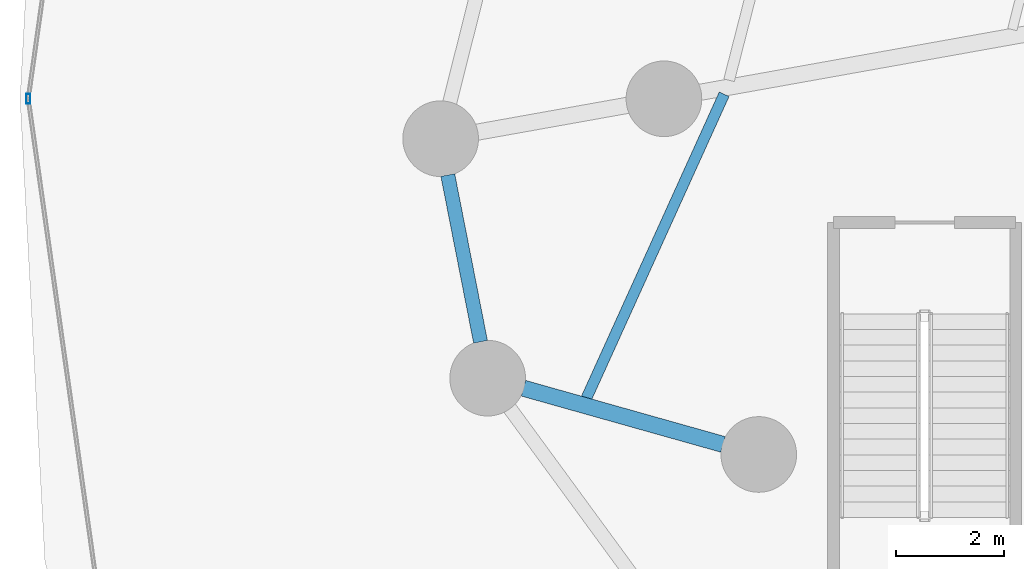
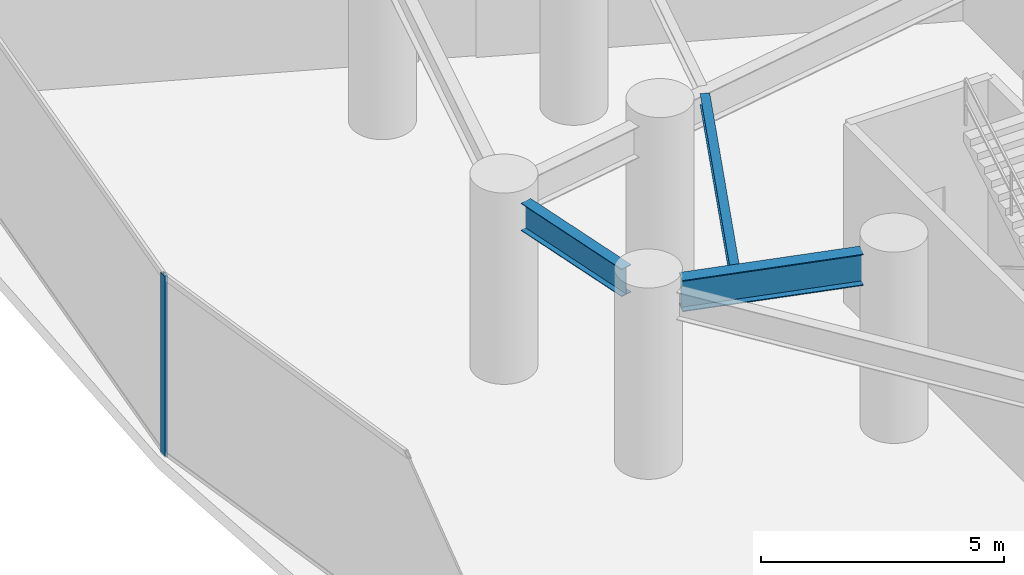
# One storey, part 6 of 26: 3 beams, 1 member, 1 element without a shape of its own.
"""IFC4 building model written with IfcOpenShell, lengths in metres."""

from ifc_helpers import new_model, si_unit, direction, frame, origin, origin_2d, place, context, subcontext, project, spatial, hollow_rectangle, i_section, extrude, material, material_profile, profile_set, type_object, element, aggregate, save


model = new_model("IFC4")

# Units and contexts
model_context = context("Model", 3, precision=1e-05, world=origin(), true_north=direction((0.0, 1.0)))
body_context = subcontext(model_context, "Body", "Model", "MODEL_VIEW")
ifc_project = project(units=[si_unit("LENGTHUNIT", "METRE"), si_unit("AREAUNIT", "SQUARE_METRE"), si_unit("VOLUMEUNIT", "CUBIC_METRE"), si_unit("PLANEANGLEUNIT", "RADIAN"), si_unit("MASSUNIT", "GRAM", prefix="KILO")], contexts=[model_context])

# Site, building, storey
site_placement = place(None, origin())
site = spatial("IfcSite", under=ifc_project, at=site_placement, CompositionType="ELEMENT")
building_placement = place(site_placement, origin())
building = spatial("IfcBuilding", under=site, at=building_placement, Name="Vorneva Point Tower", CompositionType="ELEMENT")
storey_placement = place(building_placement, frame((0.0, 0.0, 14.39990234375)))
storey = spatial("IfcBuildingStorey", under=building, at=storey_placement, Name="L03", CompositionType="ELEMENT", Elevation=14.39990234375)

# Beams
ifc_material_1 = material(Name="Steel S355", Category="steel")
ifc_material_profile_1 = material_profile(ifc_material_1, i_section(OverallWidth=0.300048828125, OverallDepth=0.7880859375, WebThickness=0.014404296875, FlangeThickness=0.02197265625, at=origin_2d()), Name="80Sh1")
ifc_profile_set_1 = profile_set([ifc_material_profile_1], Name="Steel S355")
beam_type_1 = type_object("IfcBeamType", Name="BM-GRD-80Sh1", PredefinedType="USERDEFINED", material=ifc_profile_set_1)
beam_1_placement = place(storey_placement, frame((12.350341796875, 20.643310546875, 4.086181640625), z_axis=(0.962602189028, -0.270918854418, 0.0), x_axis=(0.270918854418, 0.962602189028, 0.0)))
element("IfcBeam", 1, at=beam_1_placement, inside=storey, type_object=beam_type_1, Name="L03 Radial Primary Girder 10", ObjectType="GIRDER", PredefinedType="USERDEFINED", context=body_context, shape_type="SweptSolid", body=[
    extrude(i_section(OverallWidth=0.300048828125, OverallDepth=0.7880859375, WebThickness=0.014404296875, FlangeThickness=0.02197265625, at=origin_2d()), origin(), (0.0, 0.0, 1.0), 3.83544921875),
])
ifc_material_profile_2 = material_profile(ifc_material_1, i_section(OverallWidth=0.199951171875, OverallDepth=0.291015625, WebThickness=0.008056640625, FlangeThickness=0.010986328125, at=origin_2d()), Name="30Sh1")
ifc_profile_set_2 = profile_set([ifc_material_profile_2], Name="Steel S355")
beam_type_2 = type_object("IfcBeamType", Name="BM-SEC-30Sh1", PredefinedType="BEAM", material=ifc_profile_set_2)
beam_2_placement = place(storey_placement, frame((16.064208984375, 26.083740234375, 4.334716796875), z_axis=(-0.412706808434, -0.910863925223, 0.0), x_axis=(0.910863925223, -0.412706808434, 0.0)))
element("IfcBeam", 2, at=beam_2_placement, inside=storey, type_object=beam_type_2, Name="L03 Secondary Floor Beam 1.09", PredefinedType="BEAM", context=body_context, shape_type="SweptSolid", body=[
    extrude(i_section(OverallWidth=0.199951171875, OverallDepth=0.291015625, WebThickness=0.008056640625, FlangeThickness=0.010986328125, at=origin_2d()), origin(), (0.0, 0.0, 1.0), 6.177001953125),
])
ifc_material_profile_3 = material_profile(ifc_material_1, i_section(OverallWidth=0.260009765625, OverallDepth=0.69091796875, WebThickness=0.011962890625, FlangeThickness=0.015380859375, at=origin_2d()), Name="70B1")
ifc_profile_set_3 = profile_set([ifc_material_profile_3], Name="Steel S355")
beam_type_3 = type_object("IfcBeamType", Name="BM-SPN-70B1", PredefinedType="SPANDREL", material=ifc_profile_set_3)
beam_3_placement = place(storey_placement, frame((10.949951171875, 24.588623046875, 4.134521484375), z_axis=(0.192697267272, -0.981258255092, 0.0), x_axis=(0.981258255092, 0.192697267272, 0.0)))
element("IfcBeam", 3, at=beam_3_placement, inside=storey, type_object=beam_type_3, Name="L03 Perimeter Spandrel Ring Beam 09", PredefinedType="SPANDREL", context=body_context, shape_type="SweptSolid", body=[
    extrude(i_section(OverallWidth=0.260009765625, OverallDepth=0.69091796875, WebThickness=0.011962890625, FlangeThickness=0.015380859375, at=origin_2d()), origin(), (0.0, 0.0, 1.0), 3.145751953125),
])

# Curtain wall, member
ifc_material_2 = material(Name="Pale anodised aluminium", Category="aluminium")
curtain_wall_type = type_object("IfcCurtainWallType", Name="CW-POD-SYS", PredefinedType="NOTDEFINED", material=ifc_material_2)
curtain_wall_placement = place(storey_placement, origin())
curtain_wall = element("IfcCurtainWall", 4, at=curtain_wall_placement, inside=storey, type_object=curtain_wall_type, Name="L03 Unitised Curtain Wall CW-L03-R03", PredefinedType="NOTDEFINED")
ifc_material_profile_4 = material_profile(ifc_material_2, hollow_rectangle(XDim=0.074951171875, YDim=0.179931640625, WallThickness=0.00390625, at=origin_2d()), Name="AL-MUL 180x75x4")
ifc_profile_set_4 = profile_set([ifc_material_profile_4], Name="Pale anodised aluminium")
member_type = type_object("IfcMemberType", Name="CW-MUL-180", PredefinedType="MULLION", material=ifc_profile_set_4)
member_placement = place(storey_placement, frame((3.185546875, 26.0, -0.039794921875), z_axis=(0.0, 0.0, 1.0), x_axis=(1.0, 0.0, 0.0)))
member = element("IfcMember", 5, at=member_placement, type_object=member_type, Name="CW-L03-R03 Mullion 02", PredefinedType="MULLION", context=body_context, shape_type="SweptSolid", body=[
    extrude(hollow_rectangle(XDim=0.074951171875, YDim=0.179931640625, WallThickness=0.00390625, at=origin_2d()), origin(), (0.0, 0.0, 1.0), 4.5498046875),
])
aggregate(curtain_wall, [member])

save(model, "model.ifc")
